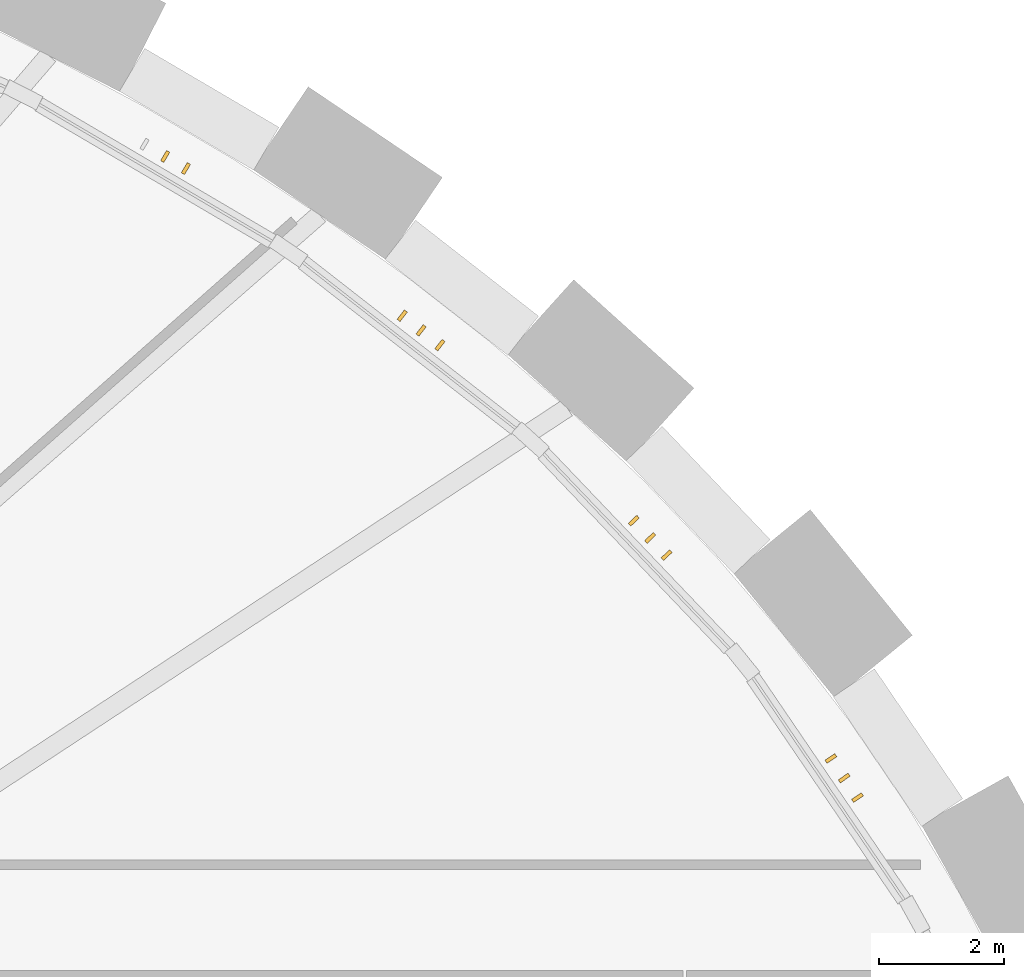
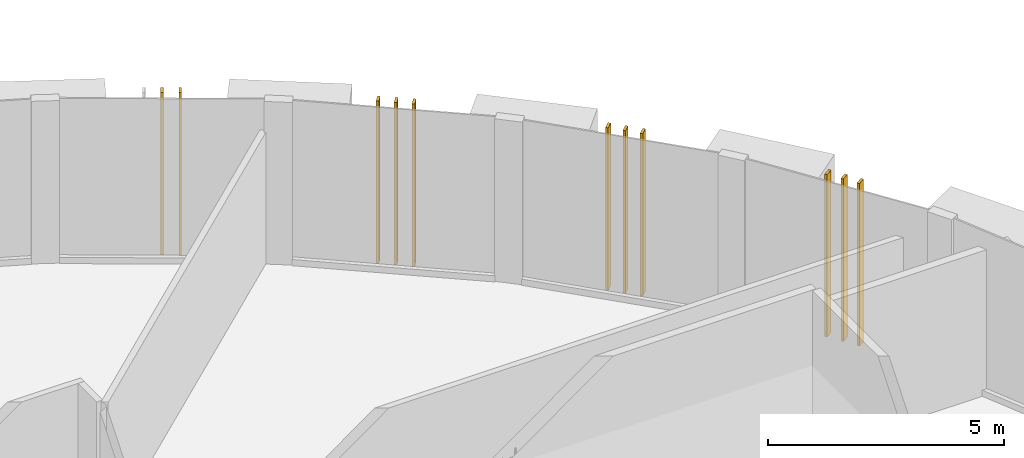
# One storey, part 22 of 23: 11 shading devices.
"""IFC4 building model written with IfcOpenShell, lengths in metres."""

import ifcopenshell
import ifcopenshell.guid

model = None  # the IFC model being written
_history = None  # IfcOwnerHistory: only IFC2X3 demands one
_inside = {}  # id of a spatial element -> (the spatial element, [elements in it])
_under = {}  # id of a project, library or spatial element -> (it, [spatial elements below it])
_declared = {}  # id of a project -> (the project, [libraries it declares])
_typed = {}  # id of a type object -> (the type object, [elements of that type])
_made_of = {}  # id of a material, layer set ... -> (it, [elements and type objects made of it])


def new_model(schema):
    """Start an empty IFC model of exactly this schema.

    Asked for "IFC4X3", IfcOpenShell would pick the latest addendum, in which some entities
    have other attributes; the version numbers below select the first issue.
    IFC2X3 requires an IfcOwnerHistory on every rooted entity: one is made here for all.
    """
    global model, _history
    if schema == "IFC4X3":
        model = ifcopenshell.file(schema_version=(4, 3, 0, 0))
    else:
        model = ifcopenshell.file(schema=schema)
    _inside.clear()
    _under.clear()
    _declared.clear()
    _typed.clear()
    _made_of.clear()
    _history = None
    if model.schema == "IFC2X3":
        org = make("IfcOrganization", Name="unknown")
        user = make(
            "IfcPersonAndOrganization",
            ThePerson=make("IfcPerson", FamilyName="unknown"),
            TheOrganization=org,
        )
        app = make(
            "IfcApplication",
            ApplicationDeveloper=org,
            Version="unknown",
            ApplicationFullName="unknown",
            ApplicationIdentifier="unknown",
        )
        _history = make(
            "IfcOwnerHistory",
            OwningUser=user,
            OwningApplication=app,
            ChangeAction="ADDED",
            CreationDate=0,
        )
    return model


def make(cls, **values):
    """One entity of the class cls with the attributes given. An attribute that is None is left unset."""
    return model.create_entity(
        cls, **{name: value for name, value in values.items() if value is not None}
    )


def rooted(cls, **values):
    """An entity with a GlobalId (a new one), such as an element, a storey or a relation."""
    return make(cls, GlobalId=ifcopenshell.guid.new(), OwnerHistory=_history, **values)


def si_unit(unit_type, name, prefix=None):
    """IfcSIUnit, for example si_unit("LENGTHUNIT", "METRE", prefix="MILLI")."""
    return make("IfcSIUnit", UnitType=unit_type, Prefix=prefix, Name=name)


def assignment(units):
    """IfcUnitAssignment: the units of a project."""
    return None if units is None else make("IfcUnitAssignment", Units=units)


def point(xyz):
    """IfcCartesianPoint."""
    return None if xyz is None else make("IfcCartesianPoint", Coordinates=xyz)


def direction(xyz):
    """IfcDirection."""
    return None if xyz is None else make("IfcDirection", DirectionRatios=xyz)


def frame(location, z_axis=None, x_axis=None):
    """IfcAxis2Placement3D, a coordinate frame: its origin and axes. An axis left out is left unset."""
    return make(
        "IfcAxis2Placement3D",
        Location=point(location),
        Axis=direction(z_axis),
        RefDirection=direction(x_axis),
    )


def frame_2d(location, x_axis=None):
    """IfcAxis2Placement2D, a coordinate frame in the plane: its origin and x axis."""
    return make(
        "IfcAxis2Placement2D", Location=point(location), RefDirection=direction(x_axis)
    )


def origin():
    """The frame at (0, 0, 0) with its axes left unset."""
    return frame((0.0, 0.0, 0.0))


def origin_2d():
    """The frame at (0, 0) in the plane with its x axis left unset."""
    return frame_2d((0.0, 0.0))


def place(relative_to, where):
    """IfcLocalPlacement: puts the frame where relative to a parent placement (None: the world)."""
    return make(
        "IfcLocalPlacement", PlacementRelTo=relative_to, RelativePlacement=where
    )


def context(
    kind, dimensions, precision=None, world=None, true_north=None, identifier=None
):
    """IfcGeometricRepresentationContext, for example the 3D "Model" context."""
    return make(
        "IfcGeometricRepresentationContext",
        ContextIdentifier=identifier,
        ContextType=kind,
        CoordinateSpaceDimension=dimensions,
        Precision=precision,
        WorldCoordinateSystem=world,
        TrueNorth=true_north,
    )


def subcontext(parent, identifier, kind, view, scale=None):
    """IfcGeometricRepresentationSubContext, for example "Body" below "Model"."""
    return make(
        "IfcGeometricRepresentationSubContext",
        ContextIdentifier=identifier,
        ContextType=kind,
        ParentContext=parent,
        TargetScale=scale,
        TargetView=view,
    )


def project(units=None, contexts=None):
    """IfcProject with its units and contexts."""
    return rooted(
        "IfcProject",
        Name="project",
        RepresentationContexts=contexts,
        UnitsInContext=assignment(units),
    )


def spatial(cls, under=None, at=None, **own):
    """A site, building, storey or space (cls), placed at a placement, below another one or the project."""
    s = rooted(cls, ObjectPlacement=at, **own)
    if under is not None:
        _under.setdefault(under.id(), (under, []))[1].append(s)
    return s


def profile(cls, at=None, kind="AREA", **sizes):
    """A parametric profile (cls). Its sizes go by their IFC names, for example OverallWidth=200.0."""
    return make(cls, ProfileType=kind, Position=at, **sizes)


def rectangle(**sizes):
    """IfcRectangleProfileDef."""
    return profile("IfcRectangleProfileDef", **sizes)


def extrude(swept, where, along, depth):
    """IfcExtrudedAreaSolid: the profile swept, set in the frame where, extruded along a direction by depth."""
    return make(
        "IfcExtrudedAreaSolid",
        SweptArea=swept,
        Position=where,
        ExtrudedDirection=direction(along),
        Depth=depth,
    )


def shape(context_of_items, identifier, shape_type, items):
    """IfcShapeRepresentation: the items that make up one representation, for example the "Body"."""
    return make(
        "IfcShapeRepresentation",
        ContextOfItems=context_of_items,
        RepresentationIdentifier=identifier,
        RepresentationType=shape_type,
        Items=items,
    )


def source(mapping_origin, context_of_items, identifier, shape_type, items):
    """IfcRepresentationMap: a shape defined once, which mapped items show again and again."""
    return make(
        "IfcRepresentationMap",
        MappingOrigin=mapping_origin,
        MappedRepresentation=shape(context_of_items, identifier, shape_type, items),
    )


def transform(
    local_origin,
    x_axis=None,
    y_axis=None,
    z_axis=None,
    scale=None,
    scale2=None,
    scale3=None,
    uniform=True,
):
    """IfcCartesianTransformationOperator3D, or its non-uniform kind. x_axis, y_axis, z_axis: its Axis1, 2, 3."""
    if uniform:
        return make(
            "IfcCartesianTransformationOperator3D",
            Axis1=direction(x_axis),
            Axis2=direction(y_axis),
            LocalOrigin=point(local_origin),
            Scale=scale,
            Axis3=direction(z_axis),
        )
    return make(
        "IfcCartesianTransformationOperator3DnonUniform",
        Axis1=direction(x_axis),
        Axis2=direction(y_axis),
        LocalOrigin=point(local_origin),
        Scale=scale,
        Axis3=direction(z_axis),
        Scale2=scale2,
        Scale3=scale3,
    )


def mapped(mapping_source, mapping_target):
    """IfcMappedItem: shows the shape of a source again, moved by a transform."""
    return make(
        "IfcMappedItem", MappingSource=mapping_source, MappingTarget=mapping_target
    )


def material(Name=None, Category=None):
    """IfcMaterial."""
    return make("IfcMaterial", Name=Name, Category=Category)


def material_profile(
    of_material, cross_section, Name=None, Category=None, Priority=None
):
    """IfcMaterialProfile: a cross section and its material."""
    return make(
        "IfcMaterialProfile",
        Name=Name,
        Material=of_material,
        Profile=cross_section,
        Priority=Priority,
        Category=Category,
    )


def profile_set(profiles, Name=None, composite=None):
    """IfcMaterialProfileSet."""
    return make(
        "IfcMaterialProfileSet",
        Name=Name,
        MaterialProfiles=profiles,
        CompositeProfile=composite,
    )


def made_of(thing, what):
    """Note that an element or type object is made of a material, layer set ...; save() writes the relation."""
    if what is not None:
        _made_of.setdefault(what.id(), (what, []))[1].append(thing)
    return thing


def type_object(cls, material=None, **own):
    """A type object (cls), such as IfcWallType, which elements share."""
    return made_of(rooted(cls, **own), material)


def element(
    cls,
    number,
    at=None,
    inside=None,
    cuts=None,
    type_object=None,
    material=None,
    context=None,
    identifier="Body",
    shape_type=None,
    held_by="IfcProductDefinitionShape",
    body=None,
    shapes=None,
    **own,
):
    """One element of the class cls, such as IfcWall. Its Tag is "e" and its number.

    at: its placement. inside: the storey or other place that contains it. cuts: it is an
    opening in that element (IfcRelVoidsElement). A single representation is given by context,
    identifier, shape_type and body (its items); several are given by shapes. held_by: the class
    of the entity that holds the representations. save() writes the other relations.
    """
    e = rooted(cls, Tag="e%d" % number, ObjectPlacement=at, **own)
    if body is not None:
        shapes = [shape(context, identifier, shape_type, body)]
    if shapes is not None:
        e.Representation = make(held_by, Representations=shapes)
    if inside is not None:
        _inside.setdefault(inside.id(), (inside, []))[1].append(e)
    if cuts is not None:
        rooted(
            "IfcRelVoidsElement", RelatingBuildingElement=cuts, RelatedOpeningElement=e
        )
    if type_object is not None:
        _typed.setdefault(type_object.id(), (type_object, []))[1].append(e)
    return made_of(e, material)


def aggregate(whole, parts):
    """IfcRelAggregates: a whole, such as a stair, and the parts it consists of."""
    return rooted("IfcRelAggregates", RelatingObject=whole, RelatedObjects=parts)


def save(model, path):
    """Write the relations noted so far, then the file.

    IfcRelAggregates (storeys below a building ...), IfcRelContainedInSpatialStructure (elements
    in a storey), IfcRelDefinesByType, IfcRelAssociatesMaterial and IfcRelDeclares: one each for
    every whole, place, type object, material and project.
    """
    for whole, parts in _under.values():
        aggregate(whole, parts)
    for where, things in _inside.values():
        rooted(
            "IfcRelContainedInSpatialStructure",
            RelatedElements=things,
            RelatingStructure=where,
        )
    for kind, things in _typed.values():
        rooted("IfcRelDefinesByType", RelatedObjects=things, RelatingType=kind)
    for what, things in _made_of.values():
        rooted("IfcRelAssociatesMaterial", RelatedObjects=things, RelatingMaterial=what)
    for by, libraries in _declared.values():
        rooted("IfcRelDeclares", RelatingContext=by, RelatedDefinitions=libraries)
    model.write(path)


model = new_model("IFC4")

# Units and contexts
model_context = context("Model", 3, precision=1e-05, world=origin(), true_north=direction((0.0, 1.0)))
body_context = subcontext(model_context, "Body", "Model", "MODEL_VIEW")
ifc_project = project(units=[si_unit("LENGTHUNIT", "METRE"), si_unit("AREAUNIT", "SQUARE_METRE"), si_unit("VOLUMEUNIT", "CUBIC_METRE"), si_unit("PLANEANGLEUNIT", "RADIAN"), si_unit("MASSUNIT", "GRAM", prefix="KILO")], contexts=[model_context])

# Site, building, storey
site_placement = place(None, origin())
site = spatial("IfcSite", under=ifc_project, at=site_placement, CompositionType="ELEMENT")
building_placement = place(site_placement, origin())
building = spatial("IfcBuilding", under=site, at=building_placement, Name="Embergate Tower", CompositionType="ELEMENT")
storey_placement = place(building_placement, frame((0.0, 0.0, 29.0)))
storey = spatial("IfcBuildingStorey", under=building, at=storey_placement, Name="L03", CompositionType="ELEMENT", Elevation=29.0)

# Shading devices
ifc_material = material(Name="Terracotta, extruded and glazed", Category="masonry")
ifc_material_profile = material_profile(ifc_material, rectangle(XDim=0.18994140625, YDim=0.06005859375, at=origin_2d()), Name="TC 190x60")
ifc_profile_set = profile_set([ifc_material_profile], Name="Terracotta, extruded and glazed")
shading_device_type = type_object("IfcShadingDeviceType", Name="Terracotta fin", PredefinedType="USERDEFINED", material=ifc_profile_set)
shared_shape = source(origin(), body_context, "Body", "SweptSolid", [
    extrude(rectangle(XDim=0.18994140625, YDim=0.06005859375, at=origin_2d()), origin(), (0.0, 0.0, 1.0), 4.199951171875),
])
for number, where, z_axis, x_axis, name in (
    (1, (34.921875, 13.627197265625, 0.0), (0.0, 0.0, 1.0), (-0.826910820018, -0.562333082556, 0.0), "Fin 3.1"),
    (2, (34.70849609375, 13.94091796875, 0.0), (0.0, 0.0, 1.0), (-0.826910820018, -0.562333082556, 0.0), "Fin 3.2"),
    (3, (34.4951171875, 14.2548828125, 0.0), (0.0, 0.0, 1.0), (-0.826910820018, -0.562333082556, 0.0), "Fin 3.3"),
    (4, (31.857421875, 17.52001953125, 0.0), (0.0, 0.0, 1.0), (-0.723690239735, -0.690124942972, 0.0), "Fin 4.1"),
    (5, (31.593994140625, 17.79638671875, 0.0), (0.0, 0.0, 1.0), (-0.723690239735, -0.690124942972, 0.0), "Fin 4.2"),
    (6, (31.330322265625, 18.07275390625, 0.0), (0.0, 0.0, 1.0), (-0.723690239735, -0.690124942972, 0.0), "Fin 4.3"),
    (7, (28.2177734375, 20.891357421875, 0.0), (0.0, 0.0, 1.0), (-0.615274931259, -0.788312602312, 0.0), "Fin 5.1"),
    (8, (27.915283203125, 21.127685546875, 0.0), (0.0, 0.0, 1.0), (-0.615274931259, -0.788312602312, 0.0), "Fin 5.2"),
    (9, (27.612548828125, 21.36376953125, 0.0), (0.0, 0.0, 1.0), (-0.615274931259, -0.788312602312, 0.0), "Fin 5.3"),
    (10, (24.138916015625, 23.725341796875, 0.0), (0.0, 0.0, 1.0), (-0.506828384679, -0.862046975799, 0.0), "Fin 6.1"),
    (11, (23.806640625, 23.920654296875, 0.0), (0.0, 0.0, 1.0), (-0.506828384679, -0.862046975799, 0.0), "Fin 6.2"),
):
    element("IfcShadingDevice", number, at=place(storey_placement, frame(where, z_axis=z_axis, x_axis=x_axis)), inside=storey, type_object=shading_device_type, Name=name, ObjectType="FIN", PredefinedType="USERDEFINED", context=body_context, shape_type="MappedRepresentation", body=[
        mapped(shared_shape, transform((0.0, 0.0, 0.0))),
    ])

save(model, "model.ifc")
